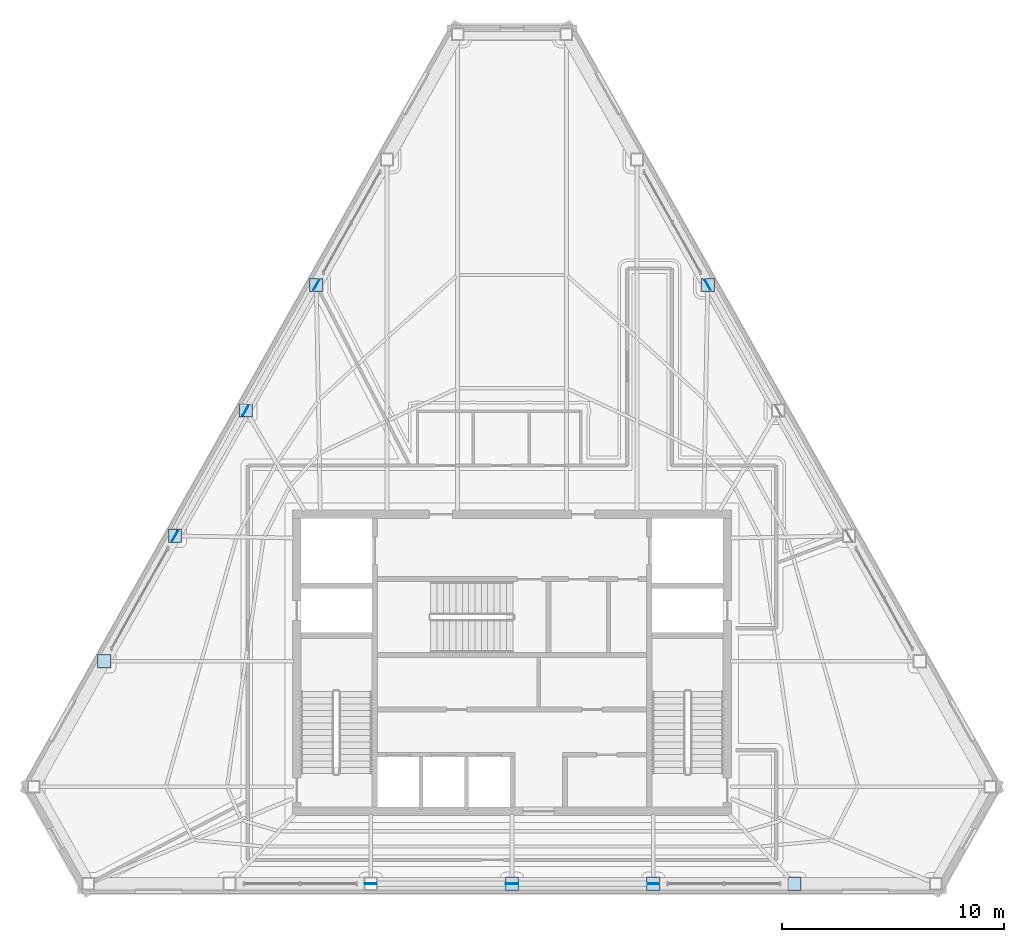
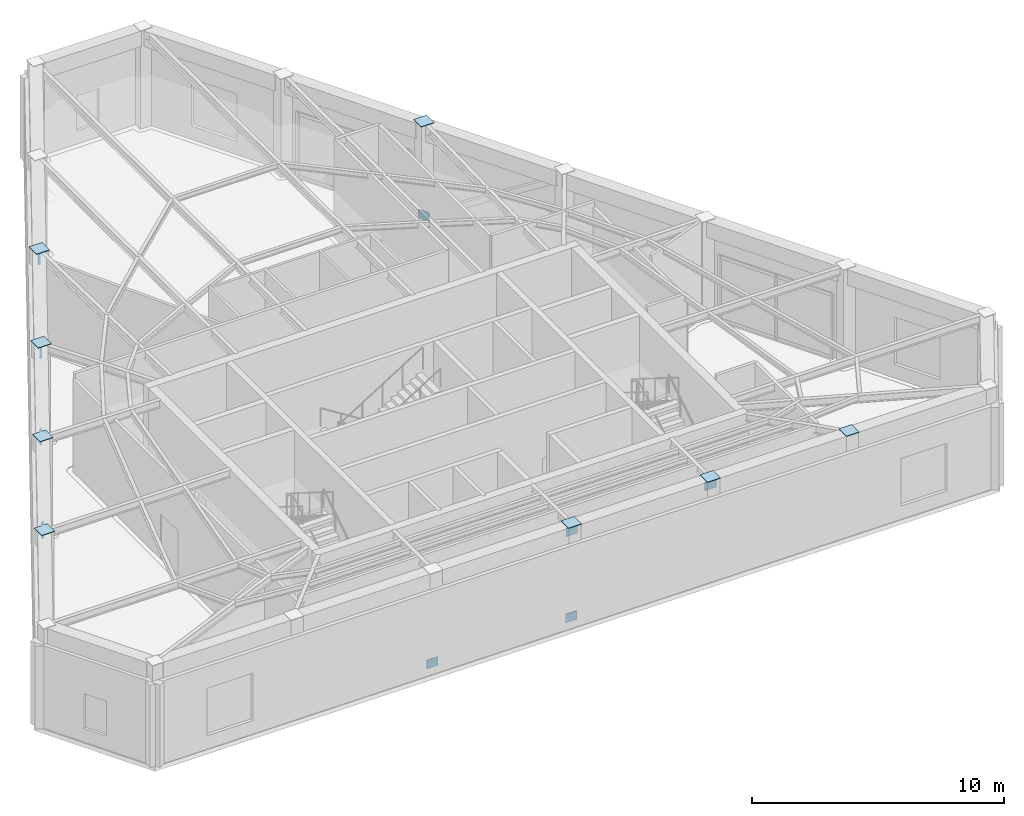
# One storey, part 7 of 15: 17 plates.
"""IFC4 building model written with IfcOpenShell, lengths in metres."""

from ifc_helpers import new_model, si_unit, direction, frame, origin, origin_2d, place, context, subcontext, project, spatial, rectangle, extrude, material, layer, layer_set, type_object, element, save


model = new_model("IFC4")

# Units and contexts
model_context = context("Model", 3, precision=1e-05, world=origin(), true_north=direction((0.0, 1.0)))
body_context = subcontext(model_context, "Body", "Model", "MODEL_VIEW")
ifc_project = project(units=[si_unit("LENGTHUNIT", "METRE"), si_unit("AREAUNIT", "SQUARE_METRE"), si_unit("VOLUMEUNIT", "CUBIC_METRE"), si_unit("PLANEANGLEUNIT", "RADIAN"), si_unit("MASSUNIT", "GRAM", prefix="KILO")], contexts=[model_context])

# Site, building, storey
site_placement = place(None, origin())
site = spatial("IfcSite", under=ifc_project, at=site_placement, CompositionType="ELEMENT")
building_placement = place(site_placement, origin())
building = spatial("IfcBuilding", under=site, at=building_placement, Name="Kavelnor Concourse Tower", CompositionType="ELEMENT")
storey_placement = place(building_placement, frame((0.0, 0.0, 304.949951171875)))
storey = spatial("IfcBuildingStorey", under=building, at=storey_placement, Name="L77", CompositionType="ELEMENT", Elevation=304.949951171875)

# Plates
ifc_material = material(Name="Steel Grade 350", Category="steel")
ifc_layer_1 = layer(ifc_material, 0.031982421875, Name="Steel Grade 350")
ifc_layer_set_1 = layer_set([ifc_layer_1], Name="Steel Grade 350")
plate_type_1 = type_object("IfcPlateType", Name="PL-GUSSET-TUBE-Z1", PredefinedType="USERDEFINED", material=ifc_layer_set_1)
for number, where, z_axis, x_axis, name in (
    (1, (25.98681640625, 27.4619140625, 0.010009765625), (0.0, 0.0, 1.0), (0.490751690644, 0.871299476719, 0.0), "L77 Tube Brace Gusset GP3 F0-B2 End Gusset A"),
    (2, (29.18359375, 33.137939453125, 4.18505859375), (0.0, 0.0, 1.0), (0.490751690644, 0.871299476719, 0.0), "L77 Tube Brace Gusset GP3 F0-B2 End Gusset B"),
    (3, (22.8017578125, 21.806884765625, 0.010009765625), (0.0, 0.0, 1.0), (0.490751690644, 0.871299476719, 0.0), "L77 Tube Brace Gusset GP3 F0-B3 End Gusset A"),
    (4, (25.99853515625, 27.48291015625, 4.18505859375), (0.0, 0.0, 1.0), (0.490751690644, 0.871299476719, 0.0), "L77 Tube Brace Gusset GP3 F0-B3 End Gusset B"),
    (5, (31.62158203125, 6.135009765625, 0.010009765625), (0.0, 0.0, 1.0), (1.0, 0.0, 0.0), "L77 Tube Brace Gusset GP3 F1-B2 End Gusset A"),
    (6, (38.011962890625, 6.135009765625, 4.18505859375), (0.0, 0.0, 1.0), (1.0, 0.0, 0.0), "L77 Tube Brace Gusset GP3 F1-B2 End Gusset B"),
    (7, (37.988037109375, 6.135009765625, 0.010009765625), (0.0, 0.0, 1.0), (1.0, 0.0, 0.0), "L77 Tube Brace Gusset GP3 F1-B3 End Gusset A"),
    (8, (44.37841796875, 6.135009765625, 4.18505859375), (0.0, 0.0, 1.0), (1.0, 0.0, 0.0), "L77 Tube Brace Gusset GP3 F1-B3 End Gusset B"),
    (9, (46.81640625, 33.137939453125, 0.010009765625), (0.0, 0.0, 1.0), (0.490751690644, -0.871299476719, 0.0), "L77 Tube Brace Gusset GP3 F2-B3 End Gusset A"),
):
    element("IfcPlate", number, at=place(storey_placement, frame(where, z_axis=z_axis, x_axis=x_axis)), inside=storey, type_object=plate_type_1, Name=name, ObjectType="GUSSET_PLATE", PredefinedType="USERDEFINED", context=body_context, shape_type="SweptSolid", body=[
        extrude(rectangle(XDim=0.52001953125, YDim=0.031982421875, at=origin_2d()), origin(), (0.0, 0.0, 1.0), 0.419921875),
    ])
ifc_layer_2 = layer(ifc_material, 0.02490234375, Name="Steel Grade 350")
ifc_layer_set_2 = layer_set([ifc_layer_2], Name="Steel Grade 350")
plate_type_2 = type_object("IfcPlateType", Name="PL-SPLICE-FLANGE", PredefinedType="SHEET", material=ifc_layer_set_2)
for number, where, z_axis, x_axis, name in (
    (10, (29.177490234375, 33.12744140625, 4.76708984375), (0.0, 0.0, 1.0), (1.0, 0.0, 0.0), "L77 Column Top Cap Plate F0-B2"),
    (11, (25.99267578125, 27.472412109375, 4.76708984375), (0.0, 0.0, 1.0), (1.0, 0.0, 0.0), "L77 Column Top Cap Plate F0-B3"),
    (12, (22.8076171875, 21.8173828125, 4.76708984375), (0.0, 0.0, 1.0), (1.0, 0.0, 0.0), "L77 Column Top Cap Plate F0-B4"),
    (13, (19.622802734375, 16.16259765625, 4.76708984375), (0.0, 0.0, 1.0), (1.0, 0.0, 0.0), "L77 Column Top Cap Plate F0-B5"),
    (14, (38.0, 6.135009765625, 4.76708984375), (0.0, 0.0, 1.0), (1.0, 0.0, 0.0), "L77 Column Top Cap Plate F1-B3"),
    (15, (44.366455078125, 6.135009765625, 4.76708984375), (0.0, 0.0, 1.0), (1.0, 0.0, 0.0), "L77 Column Top Cap Plate F1-B4"),
    (16, (50.733154296875, 6.135009765625, 4.76708984375), (0.0, 0.0, 1.0), (1.0, 0.0, 0.0), "L77 Column Top Cap Plate F1-B5"),
    (17, (46.822509765625, 33.12744140625, 4.76708984375), (0.0, 0.0, 1.0), (1.0, 0.0, 0.0), "L77 Column Top Cap Plate F2-B4"),
):
    element("IfcPlate", number, at=place(storey_placement, frame(where, z_axis=z_axis, x_axis=x_axis)), inside=storey, type_object=plate_type_2, Name=name, PredefinedType="SHEET", context=body_context, shape_type="SweptSolid", body=[
        extrude(rectangle(XDim=0.60009765625, YDim=0.60009765625, at=origin_2d()), origin(), (0.0, 0.0, 1.0), 0.02490234375),
    ])

save(model, "model.ifc")
